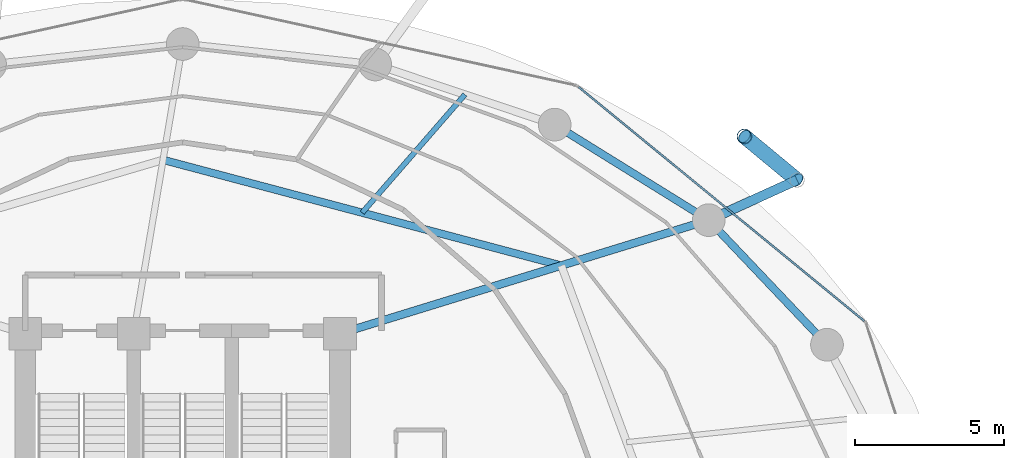
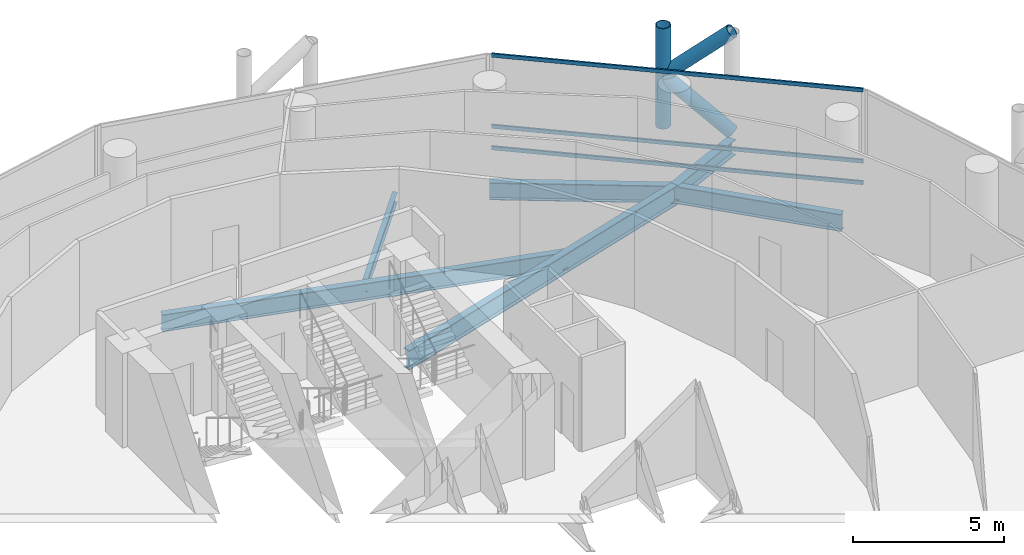
# One storey, part 17 of 26: 6 beams, 6 members, 1 element without a shape of its own.
"""IFC4 building model written with IfcOpenShell, lengths in metres."""

from ifc_helpers import new_model, si_unit, direction, frame, origin, origin_2d, place, context, subcontext, project, spatial, hollow_rectangle, hollow_circle, i_section, extrude, material, layer, layer_set, material_profile, profile_set, type_object, element, aggregate, save


model = new_model("IFC4")

# Units and contexts
model_context = context("Model", 3, precision=1e-05, world=origin(), true_north=direction((0.0, 1.0)))
body_context = subcontext(model_context, "Body", "Model", "MODEL_VIEW")
ifc_project = project(units=[si_unit("LENGTHUNIT", "METRE"), si_unit("AREAUNIT", "SQUARE_METRE"), si_unit("VOLUMEUNIT", "CUBIC_METRE"), si_unit("PLANEANGLEUNIT", "RADIAN"), si_unit("MASSUNIT", "GRAM", prefix="KILO")], contexts=[model_context])

# Site, building, storey
site_placement = place(None, origin())
site = spatial("IfcSite", under=ifc_project, at=site_placement, CompositionType="ELEMENT")
building_placement = place(site_placement, origin())
building = spatial("IfcBuilding", under=site, at=building_placement, Name="Nuhasar Tower", CompositionType="ELEMENT")
storey_placement = place(building_placement, frame((0.0, 0.0, 93.89990234375)))
storey = spatial("IfcBuildingStorey", under=building, at=storey_placement, Name="L22", CompositionType="ELEMENT", Elevation=93.89990234375)

# Beams
ifc_material_1 = material(Name="Steel S355", Category="steel")
ifc_material_profile_1 = material_profile(ifc_material_1, i_section(OverallWidth=0.25390625, OverallDepth=0.68408203125, WebThickness=0.012451171875, FlangeThickness=0.018798828125, at=origin_2d()), Name="W27X94")
ifc_profile_set_1 = profile_set([ifc_material_profile_1], Name="Steel S355")
beam_type_1 = type_object("IfcBeamType", Name="BM-INRING-W27X94", PredefinedType="BEAM", material=ifc_profile_set_1)
beam_1_placement = place(storey_placement, frame((51.748046875, 39.591064453125, -0.591796875), z_axis=(-0.96653253005, 0.256544086574, 0.0), x_axis=(-0.256544086574, -0.96653253005, 0.0)))
element("IfcBeam", 1, at=beam_1_placement, inside=storey, type_object=beam_type_1, Name="L22 Inner Header Beam 05", PredefinedType="BEAM", context=body_context, shape_type="SweptSolid", body=[
    extrude(i_section(OverallWidth=0.25390625, OverallDepth=0.68408203125, WebThickness=0.012451171875, FlangeThickness=0.018798828125, at=origin_2d()), origin(), (0.0, 0.0, 1.0), 13.872314453125),
])
ifc_material_profile_2 = material_profile(ifc_material_1, i_section(OverallWidth=0.177978515625, OverallDepth=0.406005859375, WebThickness=0.0078125, FlangeThickness=0.0126953125, at=origin_2d()), Name="W16X40")
ifc_profile_set_2 = profile_set([ifc_material_profile_2], Name="Steel S355")
beam_type_2 = type_object("IfcBeamType", Name="BM-JST-W16X40", PredefinedType="JOIST", material=ifc_profile_set_2)
beam_2_placement = place(storey_placement, frame((45.0439453125, 41.3701171875, -0.452880859375), z_axis=(0.656174129694, 0.754609509296, 0.0), x_axis=(-0.754609509296, 0.656174129694, 0.0)))
element("IfcBeam", 2, at=beam_2_placement, inside=storey, type_object=beam_type_2, Name="L22 Secondary Floor Joist 05", PredefinedType="JOIST", context=body_context, shape_type="SweptSolid", body=[
    extrude(i_section(OverallWidth=0.177978515625, OverallDepth=0.406005859375, WebThickness=0.0078125, FlangeThickness=0.0126953125, at=origin_2d()), origin(), (0.0, 0.0, 1.0), 5.27294921875),
])
ifc_material_profile_3 = material_profile(ifc_material_1, i_section(OverallWidth=0.26611328125, OverallDepth=0.779052734375, WebThickness=0.0166015625, FlangeThickness=0.030029296875, at=origin_2d()), Name="W30X148")
ifc_profile_set_3 = profile_set([ifc_material_profile_3], Name="Steel S355")
beam_type_3 = type_object("IfcBeamType", Name="BM-RAD-W30X148", PredefinedType="BEAM", material=ifc_profile_set_3)
beam_3_placement = place(storey_placement, frame((44.300048828125, 37.300048828125, -0.638916015625), z_axis=(0.955789576103, 0.294051502653, 0.0), x_axis=(-0.294051502653, 0.955789576103, 0.0)))
element("IfcBeam", 3, at=beam_3_placement, inside=storey, type_object=beam_type_3, Name="L22 Radial Floor Girder 05", PredefinedType="BEAM", context=body_context, shape_type="SweptSolid", body=[
    extrude(i_section(OverallWidth=0.26611328125, OverallDepth=0.779052734375, WebThickness=0.0166015625, FlangeThickness=0.030029296875, at=origin_2d()), origin(), (0.0, 0.0, 1.0), 12.987060546875),
])
ifc_material_profile_4 = material_profile(ifc_material_1, i_section(OverallWidth=0.256103515625, OverallDepth=0.693115234375, WebThickness=0.014404296875, FlangeThickness=0.023681640625, at=origin_2d()), Name="W27X114")
ifc_profile_set_4 = profile_set([ifc_material_profile_4], Name="Steel S355")
beam_type_4 = type_object("IfcBeamType", Name="BM-RING-W27X114", PredefinedType="SPANDREL", material=ifc_profile_set_4)
beam_4_placement = place(storey_placement, frame((60.694091796875, 36.925048828125, -0.596923828125), z_axis=(-0.688480893507, 0.725254478976, 0.0), x_axis=(-0.725254478976, -0.688480893507, 0.0)))
element("IfcBeam", 4, at=beam_4_placement, inside=storey, type_object=beam_type_4, Name="L22 Perimeter Ring Spandrel 03", PredefinedType="SPANDREL", context=body_context, shape_type="SweptSolid", body=[
    extrude(i_section(OverallWidth=0.256103515625, OverallDepth=0.693115234375, WebThickness=0.014404296875, FlangeThickness=0.023681640625, at=origin_2d()), origin(), (0.0, 0.0, 1.0), 5.782470703125),
])
beam_5_placement = place(storey_placement, frame((56.712890625, 41.118896484375, -0.596923828125), z_axis=(-0.849795216549, 0.527112976439, 0.0), x_axis=(-0.527112976439, -0.849795216549, 0.0)))
element("IfcBeam", 5, at=beam_5_placement, inside=storey, type_object=beam_type_4, Name="L22 Perimeter Ring Spandrel 04", PredefinedType="SPANDREL", context=body_context, shape_type="SweptSolid", body=[
    extrude(i_section(OverallWidth=0.256103515625, OverallDepth=0.693115234375, WebThickness=0.014404296875, FlangeThickness=0.023681640625, at=origin_2d()), origin(), (0.0, 0.0, 1.0), 6.10498046875),
])
ifc_material_profile_5 = material_profile(ifc_material_1, i_section(OverallWidth=0.323974609375, OverallDepth=0.611083984375, WebThickness=0.0126953125, FlangeThickness=0.01904296875, at=origin_2d()), Name="W24X104")
ifc_profile_set_5 = profile_set([ifc_material_profile_5], Name="Steel S355")
beam_type_5 = type_object("IfcBeamType", Name="BM-TIE-W24X104", PredefinedType="BEAM", material=ifc_profile_set_5)
beam_6_placement = place(storey_placement, frame((56.712890625, 41.118896484375, -0.554931640625), z_axis=(0.910243528587, 0.414073325227, 0.0), x_axis=(-0.414073325227, 0.910243528587, 0.0)))
element("IfcBeam", 6, at=beam_6_placement, inside=storey, type_object=beam_type_5, Name="L22 Exoskeleton Node Tie Beam 02", PredefinedType="BEAM", context=body_context, shape_type="SweptSolid", body=[
    extrude(i_section(OverallWidth=0.323974609375, OverallDepth=0.611083984375, WebThickness=0.0126953125, FlangeThickness=0.01904296875, at=origin_2d()), origin(), (0.0, 0.0, 1.0), 3.26513671875),
])

# Curtain wall, members
ifc_material_2 = material(Name="Aluminium 6063-T6", Category="aluminium")
ifc_layer = layer(ifc_material_2, 0.199951171875)
ifc_layer_set = layer_set([ifc_layer], Name="Aluminium 6063-T6")
curtain_wall_type = type_object("IfcCurtainWallType", Name="CW-Z1-OFF", PredefinedType="NOTDEFINED", material=ifc_layer_set)
curtain_wall_placement = place(storey_placement, origin())
curtain_wall = element("IfcCurtainWall", 7, at=curtain_wall_placement, inside=storey, type_object=curtain_wall_type, Name="L22 Unitised Curtain Wall 02", PredefinedType="NOTDEFINED")
ifc_material_profile_6 = material_profile(ifc_material_2, hollow_rectangle(XDim=0.06494140625, YDim=0.14990234375, WallThickness=0.00439453125, at=origin_2d()), Name="CWT-2")
ifc_profile_set_6 = profile_set([ifc_material_profile_6], Name="Aluminium 6063-T6")
member_type_1 = type_object("IfcMemberType", Name="CW-TRN-S2", PredefinedType="USERDEFINED", material=ifc_profile_set_6)
member_1_placement = place(storey_placement, frame((61.95166015625, 37.72119140625, 0.03271484375), z_axis=(-0.773540851599, 0.633746440548, 0.0), x_axis=(-0.633746440548, -0.773540851599, 0.0)))
member_1 = element("IfcMember", 8, at=member_1_placement, type_object=member_type_1, Name="CW-Z1 transom 1.1", ObjectType="TRANSOM", PredefinedType="USERDEFINED", context=body_context, shape_type="SweptSolid", body=[
    extrude(hollow_rectangle(XDim=0.06494140625, YDim=0.14990234375, WallThickness=0.00439453125, at=origin_2d()), origin(), (0.0, 0.0, 1.0), 12.43798828125),
])
member_2_placement = place(storey_placement, frame((61.95166015625, 37.72119140625, 0.900146484375), z_axis=(-0.773540851599, 0.633746440548, 0.0), x_axis=(-0.633746440548, -0.773540851599, 0.0)))
member_2 = element("IfcMember", 9, at=member_2_placement, type_object=member_type_1, Name="CW-Z1 transom 1.2", ObjectType="TRANSOM", PredefinedType="USERDEFINED", context=body_context, shape_type="SweptSolid", body=[
    extrude(hollow_rectangle(XDim=0.06494140625, YDim=0.14990234375, WallThickness=0.00439453125, at=origin_2d()), origin(), (0.0, 0.0, 1.0), 12.43798828125),
])
member_3_placement = place(storey_placement, frame((61.95166015625, 37.72119140625, 3.767578125), z_axis=(-0.773540851599, 0.633746440548, 0.0), x_axis=(-0.633746440548, -0.773540851599, 0.0)))
member_3 = element("IfcMember", 10, at=member_3_placement, type_object=member_type_1, Name="CW-Z1 transom 1.3", ObjectType="TRANSOM", PredefinedType="USERDEFINED", context=body_context, shape_type="SweptSolid", body=[
    extrude(hollow_rectangle(XDim=0.06494140625, YDim=0.14990234375, WallThickness=0.00439453125, at=origin_2d()), origin(), (0.0, 0.0, 1.0), 12.43798828125),
])
aggregate(curtain_wall, [member_1, member_2, member_3])

# Members
ifc_material_3 = material(Name="Steel S460", Category="steel")
ifc_material_profile_7 = material_profile(ifc_material_3, hollow_circle(Radius=0.25390625, WallThickness=0.025390625, at=origin_2d()), Name="HSS508X25.4")
ifc_profile_set_7 = profile_set([ifc_material_profile_7], Name="Steel S460")
member_type_2 = type_object("IfcMemberType", Name="EXO-BRONZE-508", PredefinedType="BRACE", material=ifc_profile_set_7)
member_4_placement = place(storey_placement, frame((57.9130859375, 43.93896484375, 0.0), z_axis=(0.0, 0.0, 1.0), x_axis=(1.0, 0.0, 0.0)))
element("IfcMember", 11, at=member_4_placement, inside=storey, type_object=member_type_2, Name="L22 Exoskeleton Chord Column EC-02B", PredefinedType="BRACE", context=body_context, shape_type="SweptSolid", body=[
    extrude(hollow_circle(Radius=0.25390625, WallThickness=0.025390625, at=origin_2d()), origin(), (0.0, 0.0, 1.0), 4.050048828125),
])
member_5_placement = place(storey_placement, frame((59.68505859375, 42.470947265625, 0.0), z_axis=(-0.578071194894, 0.478911834514, 0.660664172175), x_axis=(-0.637969333506, -0.770061769929, 0.0)))
element("IfcMember", 12, at=member_5_placement, inside=storey, type_object=member_type_2, Name="L22 Bronze Diagrid Brace W1-02", PredefinedType="BRACE", context=body_context, shape_type="SweptSolid", body=[
    extrude(hollow_circle(Radius=0.25390625, WallThickness=0.025390625, at=origin_2d()), origin(), (0.0, 0.0, 1.0), 3.0654296875),
])
member_6_placement = place(storey_placement, frame((57.9130859375, 43.93896484375, 2.025146484375), z_axis=(0.578101613167, -0.478937034992, 0.660619286251), x_axis=(0.637969333506, 0.770061769929, 0.0)))
element("IfcMember", 13, at=member_6_placement, inside=storey, type_object=member_type_2, Name="L22 Bronze Diagrid Brace W2-02", PredefinedType="BRACE", context=body_context, shape_type="SweptSolid", body=[
    extrude(hollow_circle(Radius=0.25390625, WallThickness=0.025390625, at=origin_2d()), origin(), (0.0, 0.0, 1.0), 3.065185546875),
])

save(model, "model.ifc")
